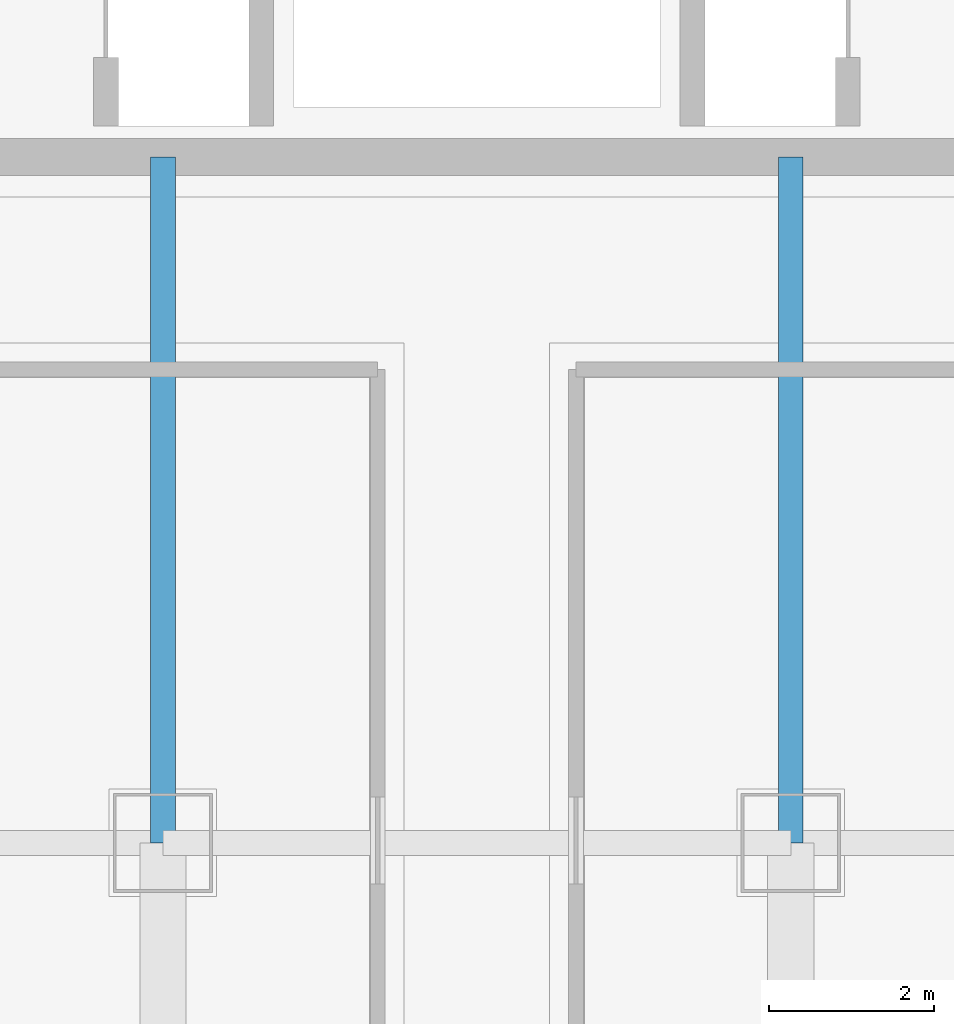
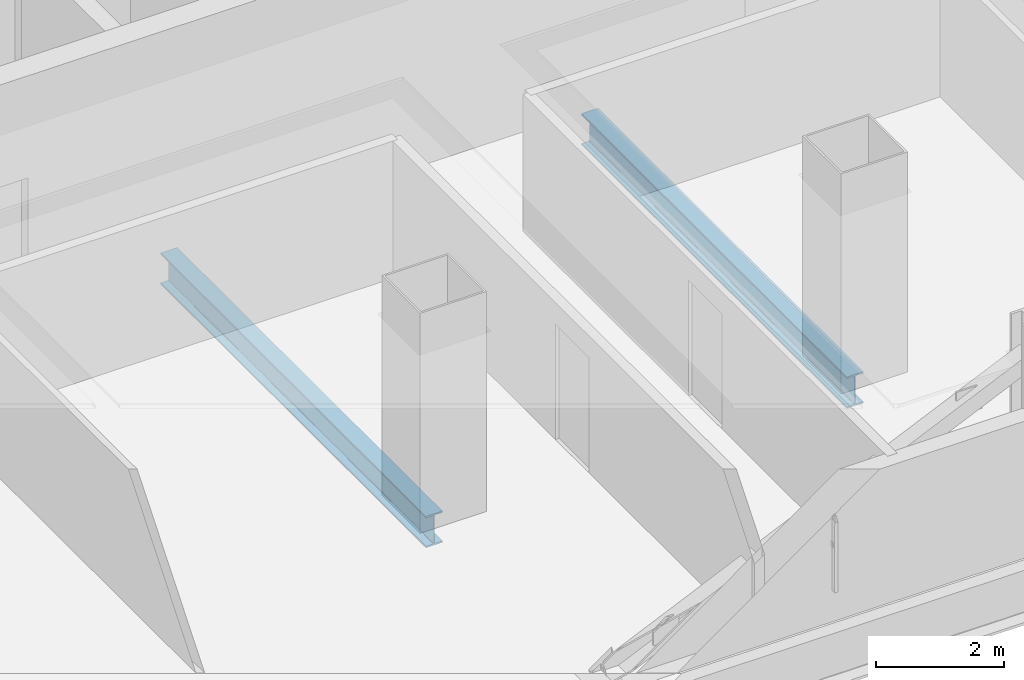
# One storey, part 9 of 46: 2 beams.
"""IFC4 building model written with IfcOpenShell, lengths in metres."""

import ifcopenshell
import ifcopenshell.guid

model = None  # the IFC model being written
_history = None  # IfcOwnerHistory: only IFC2X3 demands one
_inside = {}  # id of a spatial element -> (the spatial element, [elements in it])
_under = {}  # id of a project, library or spatial element -> (it, [spatial elements below it])
_declared = {}  # id of a project -> (the project, [libraries it declares])
_typed = {}  # id of a type object -> (the type object, [elements of that type])
_made_of = {}  # id of a material, layer set ... -> (it, [elements and type objects made of it])


def new_model(schema):
    """Start an empty IFC model of exactly this schema.

    Asked for "IFC4X3", IfcOpenShell would pick the latest addendum, in which some entities
    have other attributes; the version numbers below select the first issue.
    IFC2X3 requires an IfcOwnerHistory on every rooted entity: one is made here for all.
    """
    global model, _history
    if schema == "IFC4X3":
        model = ifcopenshell.file(schema_version=(4, 3, 0, 0))
    else:
        model = ifcopenshell.file(schema=schema)
    _inside.clear()
    _under.clear()
    _declared.clear()
    _typed.clear()
    _made_of.clear()
    _history = None
    if model.schema == "IFC2X3":
        org = make("IfcOrganization", Name="unknown")
        user = make(
            "IfcPersonAndOrganization",
            ThePerson=make("IfcPerson", FamilyName="unknown"),
            TheOrganization=org,
        )
        app = make(
            "IfcApplication",
            ApplicationDeveloper=org,
            Version="unknown",
            ApplicationFullName="unknown",
            ApplicationIdentifier="unknown",
        )
        _history = make(
            "IfcOwnerHistory",
            OwningUser=user,
            OwningApplication=app,
            ChangeAction="ADDED",
            CreationDate=0,
        )
    return model


def make(cls, **values):
    """One entity of the class cls with the attributes given. An attribute that is None is left unset."""
    return model.create_entity(
        cls, **{name: value for name, value in values.items() if value is not None}
    )


def rooted(cls, **values):
    """An entity with a GlobalId (a new one), such as an element, a storey or a relation."""
    return make(cls, GlobalId=ifcopenshell.guid.new(), OwnerHistory=_history, **values)


def si_unit(unit_type, name, prefix=None):
    """IfcSIUnit, for example si_unit("LENGTHUNIT", "METRE", prefix="MILLI")."""
    return make("IfcSIUnit", UnitType=unit_type, Prefix=prefix, Name=name)


def assignment(units):
    """IfcUnitAssignment: the units of a project."""
    return None if units is None else make("IfcUnitAssignment", Units=units)


def point(xyz):
    """IfcCartesianPoint."""
    return None if xyz is None else make("IfcCartesianPoint", Coordinates=xyz)


def direction(xyz):
    """IfcDirection."""
    return None if xyz is None else make("IfcDirection", DirectionRatios=xyz)


def frame(location, z_axis=None, x_axis=None):
    """IfcAxis2Placement3D, a coordinate frame: its origin and axes. An axis left out is left unset."""
    return make(
        "IfcAxis2Placement3D",
        Location=point(location),
        Axis=direction(z_axis),
        RefDirection=direction(x_axis),
    )


def frame_2d(location, x_axis=None):
    """IfcAxis2Placement2D, a coordinate frame in the plane: its origin and x axis."""
    return make(
        "IfcAxis2Placement2D", Location=point(location), RefDirection=direction(x_axis)
    )


def origin():
    """The frame at (0, 0, 0) with its axes left unset."""
    return frame((0.0, 0.0, 0.0))


def origin_2d():
    """The frame at (0, 0) in the plane with its x axis left unset."""
    return frame_2d((0.0, 0.0))


def place(relative_to, where):
    """IfcLocalPlacement: puts the frame where relative to a parent placement (None: the world)."""
    return make(
        "IfcLocalPlacement", PlacementRelTo=relative_to, RelativePlacement=where
    )


def context(
    kind, dimensions, precision=None, world=None, true_north=None, identifier=None
):
    """IfcGeometricRepresentationContext, for example the 3D "Model" context."""
    return make(
        "IfcGeometricRepresentationContext",
        ContextIdentifier=identifier,
        ContextType=kind,
        CoordinateSpaceDimension=dimensions,
        Precision=precision,
        WorldCoordinateSystem=world,
        TrueNorth=true_north,
    )


def subcontext(parent, identifier, kind, view, scale=None):
    """IfcGeometricRepresentationSubContext, for example "Body" below "Model"."""
    return make(
        "IfcGeometricRepresentationSubContext",
        ContextIdentifier=identifier,
        ContextType=kind,
        ParentContext=parent,
        TargetScale=scale,
        TargetView=view,
    )


def project(units=None, contexts=None):
    """IfcProject with its units and contexts."""
    return rooted(
        "IfcProject",
        Name="project",
        RepresentationContexts=contexts,
        UnitsInContext=assignment(units),
    )


def spatial(cls, under=None, at=None, **own):
    """A site, building, storey or space (cls), placed at a placement, below another one or the project."""
    s = rooted(cls, ObjectPlacement=at, **own)
    if under is not None:
        _under.setdefault(under.id(), (under, []))[1].append(s)
    return s


def profile(cls, at=None, kind="AREA", **sizes):
    """A parametric profile (cls). Its sizes go by their IFC names, for example OverallWidth=200.0."""
    return make(cls, ProfileType=kind, Position=at, **sizes)


def i_section(**sizes):
    """IfcIShapeProfileDef."""
    return profile("IfcIShapeProfileDef", **sizes)


def extrude(swept, where, along, depth):
    """IfcExtrudedAreaSolid: the profile swept, set in the frame where, extruded along a direction by depth."""
    return make(
        "IfcExtrudedAreaSolid",
        SweptArea=swept,
        Position=where,
        ExtrudedDirection=direction(along),
        Depth=depth,
    )


def shape(context_of_items, identifier, shape_type, items):
    """IfcShapeRepresentation: the items that make up one representation, for example the "Body"."""
    return make(
        "IfcShapeRepresentation",
        ContextOfItems=context_of_items,
        RepresentationIdentifier=identifier,
        RepresentationType=shape_type,
        Items=items,
    )


def material(Name=None, Category=None):
    """IfcMaterial."""
    return make("IfcMaterial", Name=Name, Category=Category)


def material_profile(
    of_material, cross_section, Name=None, Category=None, Priority=None
):
    """IfcMaterialProfile: a cross section and its material."""
    return make(
        "IfcMaterialProfile",
        Name=Name,
        Material=of_material,
        Profile=cross_section,
        Priority=Priority,
        Category=Category,
    )


def profile_set(profiles, Name=None, composite=None):
    """IfcMaterialProfileSet."""
    return make(
        "IfcMaterialProfileSet",
        Name=Name,
        MaterialProfiles=profiles,
        CompositeProfile=composite,
    )


def made_of(thing, what):
    """Note that an element or type object is made of a material, layer set ...; save() writes the relation."""
    if what is not None:
        _made_of.setdefault(what.id(), (what, []))[1].append(thing)
    return thing


def type_object(cls, material=None, **own):
    """A type object (cls), such as IfcWallType, which elements share."""
    return made_of(rooted(cls, **own), material)


def element(
    cls,
    number,
    at=None,
    inside=None,
    cuts=None,
    type_object=None,
    material=None,
    context=None,
    identifier="Body",
    shape_type=None,
    held_by="IfcProductDefinitionShape",
    body=None,
    shapes=None,
    **own,
):
    """One element of the class cls, such as IfcWall. Its Tag is "e" and its number.

    at: its placement. inside: the storey or other place that contains it. cuts: it is an
    opening in that element (IfcRelVoidsElement). A single representation is given by context,
    identifier, shape_type and body (its items); several are given by shapes. held_by: the class
    of the entity that holds the representations. save() writes the other relations.
    """
    e = rooted(cls, Tag="e%d" % number, ObjectPlacement=at, **own)
    if body is not None:
        shapes = [shape(context, identifier, shape_type, body)]
    if shapes is not None:
        e.Representation = make(held_by, Representations=shapes)
    if inside is not None:
        _inside.setdefault(inside.id(), (inside, []))[1].append(e)
    if cuts is not None:
        rooted(
            "IfcRelVoidsElement", RelatingBuildingElement=cuts, RelatedOpeningElement=e
        )
    if type_object is not None:
        _typed.setdefault(type_object.id(), (type_object, []))[1].append(e)
    return made_of(e, material)


def aggregate(whole, parts):
    """IfcRelAggregates: a whole, such as a stair, and the parts it consists of."""
    return rooted("IfcRelAggregates", RelatingObject=whole, RelatedObjects=parts)


def save(model, path):
    """Write the relations noted so far, then the file.

    IfcRelAggregates (storeys below a building ...), IfcRelContainedInSpatialStructure (elements
    in a storey), IfcRelDefinesByType, IfcRelAssociatesMaterial and IfcRelDeclares: one each for
    every whole, place, type object, material and project.
    """
    for whole, parts in _under.values():
        aggregate(whole, parts)
    for where, things in _inside.values():
        rooted(
            "IfcRelContainedInSpatialStructure",
            RelatedElements=things,
            RelatingStructure=where,
        )
    for kind, things in _typed.values():
        rooted("IfcRelDefinesByType", RelatedObjects=things, RelatingType=kind)
    for what, things in _made_of.values():
        rooted("IfcRelAssociatesMaterial", RelatedObjects=things, RelatingMaterial=what)
    for by, libraries in _declared.values():
        rooted("IfcRelDeclares", RelatingContext=by, RelatedDefinitions=libraries)
    model.write(path)


model = new_model("IFC4")

# Units and contexts
model_context = context("Model", 3, precision=1e-05, world=origin(), true_north=direction((0.0, 1.0)))
body_context = subcontext(model_context, "Body", "Model", "MODEL_VIEW")
ifc_project = project(units=[si_unit("LENGTHUNIT", "METRE"), si_unit("AREAUNIT", "SQUARE_METRE"), si_unit("VOLUMEUNIT", "CUBIC_METRE"), si_unit("PLANEANGLEUNIT", "RADIAN"), si_unit("MASSUNIT", "GRAM", prefix="KILO")], contexts=[model_context])

# Site, building, storey
site_placement = place(None, origin())
site = spatial("IfcSite", under=ifc_project, at=site_placement, CompositionType="ELEMENT")
building_placement = place(site_placement, origin())
building = spatial("IfcBuilding", under=site, at=building_placement, Name="Punatoya Terracotta Tower", CompositionType="ELEMENT")
storey_placement = place(building_placement, frame((0.0, 0.0, 330.0)))
storey = spatial("IfcBuildingStorey", under=building, at=storey_placement, Name="L78", CompositionType="ELEMENT", Elevation=330.0)

# Beams
ifc_material = material(Name="Steel S355", Category="steel")
ifc_material_profile = material_profile(ifc_material, i_section(OverallWidth=0.300048828125, OverallDepth=0.60009765625, WebThickness=0.015380859375, FlangeThickness=0.030029296875, FilletRadius=0.01806640625, at=origin_2d()))
ifc_profile_set = profile_set([ifc_material_profile], Name="Steel S355")
beam_type = type_object("IfcBeamType", Name="BM-PRI-600", PredefinedType="BEAM", material=ifc_profile_set)
for number, where, z_axis, x_axis, name in (
    (1, (-3.800048828125, -17.5, -0.5), (0.0, 1.0, 0.0), (-1.0, 0.0, 0.0), "BM-L78-PR-S2"),
    (2, (3.800048828125, -17.5, -0.5), (0.0, 1.0, 0.0), (-1.0, 0.0, 0.0), "BM-L78-PR-S3"),
):
    element("IfcBeam", number, at=place(storey_placement, frame(where, z_axis=z_axis, x_axis=x_axis)), inside=storey, type_object=beam_type, Name=name, PredefinedType="BEAM", context=body_context, shape_type="SweptSolid", body=[
        extrude(i_section(OverallWidth=0.300048828125, OverallDepth=0.60009765625, WebThickness=0.015380859375, FlangeThickness=0.030029296875, FilletRadius=0.01806640625, at=origin_2d()), origin(), (0.0, 0.0, 1.0), 8.300048828125),
    ])

save(model, "model.ifc")
